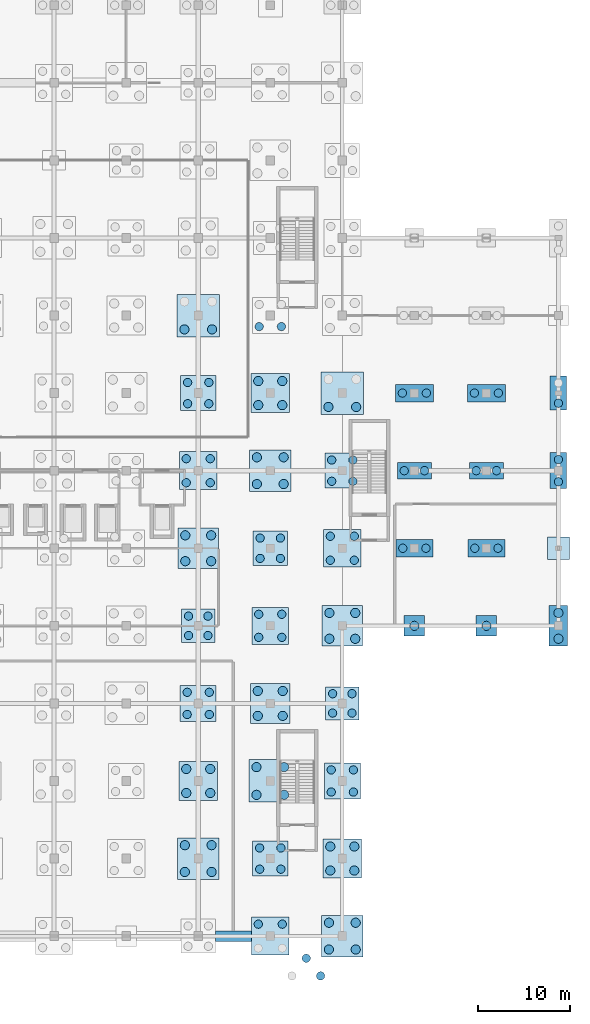
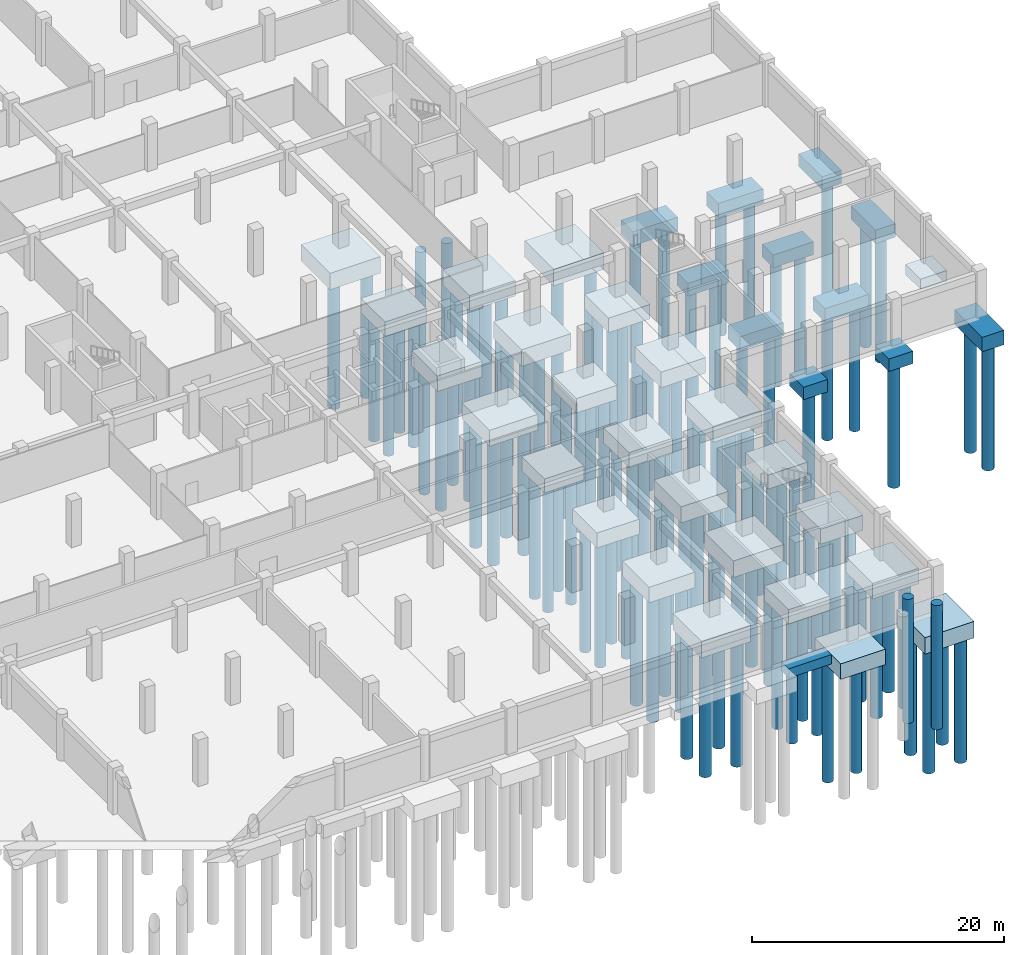
# One storey, part 7 of 30: 113 piles, 37 footings.
"""IFC4 building model written with IfcOpenShell, lengths in metres."""

from ifc_helpers import new_model, si_unit, direction, frame, origin, origin_2d, place, context, subcontext, project, spatial, rectangle, circle, extrude, material, layer, layer_set, material_profile, profile_set, type_object, element, save


model = new_model("IFC4")

# Units and contexts
model_context = context("Model", 3, precision=1e-05, world=origin(), true_north=direction((0.0, 1.0)))
body_context = subcontext(model_context, "Body", "Model", "MODEL_VIEW")
ifc_project = project(units=[si_unit("LENGTHUNIT", "METRE"), si_unit("AREAUNIT", "SQUARE_METRE"), si_unit("VOLUMEUNIT", "CUBIC_METRE"), si_unit("PLANEANGLEUNIT", "RADIAN"), si_unit("MASSUNIT", "GRAM", prefix="KILO"), si_unit("THERMODYNAMICTEMPERATUREUNIT", "KELVIN"), si_unit("POWERUNIT", "WATT")], contexts=[model_context])

# Site, building, storey
site_placement = place(None, origin())
site = spatial("IfcSite", under=ifc_project, at=site_placement, CompositionType="ELEMENT")
building_placement = place(site_placement, origin())
building = spatial("IfcBuilding", under=site, at=building_placement, Name="Srebrne Nadtorze General Hospital", CompositionType="ELEMENT")
storey_placement = place(building_placement, frame((0.0, 0.0, -4.5)))
storey = spatial("IfcBuildingStorey", under=building, at=storey_placement, Name="B1", CompositionType="ELEMENT", Elevation=-4.5)

# Piles
ifc_material_1 = material(Name="Concrete C35/45", Category="concrete")
ifc_material_profile_1 = material_profile(ifc_material_1, circle(Radius=0.5, at=origin_2d()), Name="PILE-D1000")
ifc_profile_set_1 = profile_set([ifc_material_profile_1], Name="Concrete C35/45")
pile_type_1 = type_object("IfcPileType", Name="Bored concrete pile D1000", PredefinedType="BORED", material=ifc_profile_set_1)
for number, where, z_axis, x_axis, name in (
    (1, (131.14990234375, 6.949951171875, -2.199951171875), (0.0, 0.0, -1.0), (1.0, 0.0, 0.0), "Bored pile PL-B1-0614"),
    (2, (134.050048828125, 6.949951171875, -2.199951171875), (0.0, 0.0, -1.0), (1.0, 0.0, 0.0), "Bored pile PL-B1-0615"),
    (3, (134.050048828125, 9.85009765625, -2.199951171875), (0.0, 0.0, -1.0), (1.0, 0.0, 0.0), "Bored pile PL-B1-0616"),
    (4, (131.14990234375, 9.85009765625, -2.199951171875), (0.0, 0.0, -1.0), (1.0, 0.0, 0.0), "Bored pile PL-B1-0617"),
    (5, (131.300048828125, 15.5, -2.10009765625), (0.0, 0.0, -1.0), (1.0, 0.0, 0.0), "Bored pile PL-B1-0618"),
    (6, (133.89990234375, 15.5, -2.10009765625), (0.0, 0.0, -1.0), (1.0, 0.0, 0.0), "Bored pile PL-B1-0619"),
    (7, (133.89990234375, 18.10009765625, -2.10009765625), (0.0, 0.0, -1.0), (1.0, 0.0, 0.0), "Bored pile PL-B1-0620"),
    (8, (131.300048828125, 18.10009765625, -2.10009765625), (0.0, 0.0, -1.0), (1.0, 0.0, 0.0), "Bored pile PL-B1-0621"),
    (9, (131.199951171875, 40.60009765625, -2.14990234375), (0.0, 0.0, -1.0), (1.0, 0.0, 0.0), "Bored pile PL-B1-0630"),
    (10, (134.0, 40.60009765625, -2.14990234375), (0.0, 0.0, -1.0), (1.0, 0.0, 0.0), "Bored pile PL-B1-0631"),
    (11, (134.0, 43.39990234375, -2.14990234375), (0.0, 0.0, -1.0), (1.0, 0.0, 0.0), "Bored pile PL-B1-0632"),
    (12, (131.199951171875, 43.39990234375, -2.14990234375), (0.0, 0.0, -1.0), (1.0, 0.0, 0.0), "Bored pile PL-B1-0633"),
    (13, (131.10009765625, 65.699951171875, -2.199951171875), (0.0, 0.0, -1.0), (1.0, 0.0, 0.0), "Bored pile PL-B1-0642"),
    (14, (134.10009765625, 65.699951171875, -2.199951171875), (0.0, 0.0, -1.0), (1.0, 0.0, 0.0), "Bored pile PL-B1-0643"),
    (15, (138.89990234375, 15.300048828125, -2.199951171875), (0.0, 0.0, -1.0), (1.0, 0.0, 0.0), "Bored pile PL-B1-0670"),
    (16, (141.89990234375, 15.300048828125, -2.199951171875), (0.0, 0.0, -1.0), (1.0, 0.0, 0.0), "Bored pile PL-B1-0671"),
    (17, (141.89990234375, 18.300048828125, -2.199951171875), (0.0, 0.0, -1.0), (1.0, 0.0, 0.0), "Bored pile PL-B1-0672"),
    (18, (138.89990234375, 18.300048828125, -2.199951171875), (0.0, 0.0, -1.0), (1.0, 0.0, 0.0), "Bored pile PL-B1-0673"),
    (19, (139.050048828125, 23.85009765625, -2.14990234375), (0.0, 0.0, -1.0), (1.0, 0.0, 0.0), "Bored pile PL-B1-0674"),
    (20, (141.75, 23.85009765625, -2.14990234375), (0.0, 0.0, -1.0), (1.0, 0.0, 0.0), "Bored pile PL-B1-0675"),
    (21, (141.75, 26.550048828125, -2.14990234375), (0.0, 0.0, -1.0), (1.0, 0.0, 0.0), "Bored pile PL-B1-0676"),
    (22, (139.050048828125, 26.550048828125, -2.14990234375), (0.0, 0.0, -1.0), (1.0, 0.0, 0.0), "Bored pile PL-B1-0677"),
    (23, (138.949951171875, 48.949951171875, -2.199951171875), (0.0, 0.0, -1.0), (1.0, 0.0, 0.0), "Bored pile PL-B1-0686"),
    (24, (141.85009765625, 48.949951171875, -2.199951171875), (0.0, 0.0, -1.0), (1.0, 0.0, 0.0), "Bored pile PL-B1-0687"),
    (25, (141.85009765625, 51.85009765625, -2.199951171875), (0.0, 0.0, -1.0), (1.0, 0.0, 0.0), "Bored pile PL-B1-0688"),
    (26, (138.949951171875, 51.85009765625, -2.199951171875), (0.0, 0.0, -1.0), (1.0, 0.0, 0.0), "Bored pile PL-B1-0689"),
    (27, (139.10009765625, 57.5, -2.10009765625), (0.0, 0.0, -1.0), (1.0, 0.0, 0.0), "Bored pile PL-B1-0690"),
    (28, (141.699951171875, 57.5, -2.10009765625), (0.0, 0.0, -1.0), (1.0, 0.0, 0.0), "Bored pile PL-B1-0691"),
    (29, (141.699951171875, 60.10009765625, -2.10009765625), (0.0, 0.0, -1.0), (1.0, 0.0, 0.0), "Bored pile PL-B1-0692"),
    (30, (139.10009765625, 60.10009765625, -2.10009765625), (0.0, 0.0, -1.0), (1.0, 0.0, 0.0), "Bored pile PL-B1-0693"),
    (31, (146.75, -1.449951171875, -2.199951171875), (0.0, 0.0, -1.0), (1.0, 0.0, 0.0), "Bored pile PL-B1-0712"),
    (32, (149.64990234375, -1.449951171875, -2.199951171875), (0.0, 0.0, -1.0), (1.0, 0.0, 0.0), "Bored pile PL-B1-0713"),
    (33, (149.64990234375, 1.449951171875, -2.199951171875), (0.0, 0.0, -1.0), (1.0, 0.0, 0.0), "Bored pile PL-B1-0714"),
    (34, (146.75, 1.449951171875, -2.199951171875), (0.0, 0.0, -1.0), (1.0, 0.0, 0.0), "Bored pile PL-B1-0715"),
    (35, (146.89990234375, 7.10009765625, -2.10009765625), (0.0, 0.0, -1.0), (1.0, 0.0, 0.0), "Bored pile PL-B1-0716"),
    (36, (149.5, 7.10009765625, -2.10009765625), (0.0, 0.0, -1.0), (1.0, 0.0, 0.0), "Bored pile PL-B1-0717"),
    (37, (149.5, 9.699951171875, -2.10009765625), (0.0, 0.0, -1.0), (1.0, 0.0, 0.0), "Bored pile PL-B1-0718"),
    (38, (146.89990234375, 9.699951171875, -2.10009765625), (0.0, 0.0, -1.0), (1.0, 0.0, 0.0), "Bored pile PL-B1-0719"),
    (39, (146.800048828125, 32.199951171875, -2.14990234375), (0.0, 0.0, -1.0), (1.0, 0.0, 0.0), "Bored pile PL-B1-0728"),
    (40, (149.60009765625, 32.199951171875, -2.14990234375), (0.0, 0.0, -1.0), (1.0, 0.0, 0.0), "Bored pile PL-B1-0729"),
    (41, (149.60009765625, 35.0, -2.14990234375), (0.0, 0.0, -1.0), (1.0, 0.0, 0.0), "Bored pile PL-B1-0730"),
    (42, (146.800048828125, 35.0, -2.14990234375), (0.0, 0.0, -1.0), (1.0, 0.0, 0.0), "Bored pile PL-B1-0731"),
    (43, (146.699951171875, 57.300048828125, -2.199951171875), (0.0, 0.0, -1.0), (1.0, 0.0, 0.0), "Bored pile PL-B1-0740"),
    (44, (149.699951171875, 57.300048828125, -2.199951171875), (0.0, 0.0, -1.0), (1.0, 0.0, 0.0), "Bored pile PL-B1-0741"),
    (45, (156.0, 33.60009765625, -1.800048828125), (0.0, 0.0, -1.0), (1.0, 0.0, 0.0), "Bored pile PL-B1-0764"),
    (46, (163.800048828125, 33.60009765625, -1.800048828125), (0.0, 0.0, -1.0), (1.0, 0.0, 0.0), "Bored pile PL-B1-0774"),
    (47, (171.60009765625, 32.199951171875, -2.0), (0.0, 0.0, -1.0), (1.0, 0.0, 0.0), "Bored pile PL-B1-0784"),
    (48, (171.60009765625, 35.0, -2.0), (0.0, 0.0, -1.0), (1.0, 0.0, 0.0), "Bored pile PL-B1-0785"),
):
    element("IfcPile", number, at=place(storey_placement, frame(where, z_axis=z_axis, x_axis=x_axis)), inside=storey, type_object=pile_type_1, Name=name, PredefinedType="BORED", context=body_context, shape_type="SweptSolid", body=[
        extrude(circle(Radius=0.5, at=origin_2d()), origin(), (0.0, 0.0, 1.0), 12.0),
    ])
ifc_material_2 = material(Name="Concrete C35/45", Category="concrete")
ifc_material_profile_2 = material_profile(ifc_material_2, circle(Radius=0.449951171875, at=origin_2d()), Name="PILE-D900")
ifc_profile_set_2 = profile_set([ifc_material_profile_2], Name="Concrete C35/45")
pile_type_2 = type_object("IfcPileType", Name="Bored concrete pile D900", PredefinedType="BORED", material=ifc_profile_set_2)
for number, where, z_axis, x_axis, name in (
    (49, (131.39990234375, 24.0, -2.050048828125), (0.0, 0.0, -1.0), (1.0, 0.0, 0.0), "Bored pile PL-B1-0622"),
    (50, (133.800048828125, 24.0, -2.050048828125), (0.0, 0.0, -1.0), (1.0, 0.0, 0.0), "Bored pile PL-B1-0623"),
    (51, (133.800048828125, 26.39990234375, -2.050048828125), (0.0, 0.0, -1.0), (1.0, 0.0, 0.0), "Bored pile PL-B1-0624"),
    (52, (131.39990234375, 26.39990234375, -2.050048828125), (0.0, 0.0, -1.0), (1.0, 0.0, 0.0), "Bored pile PL-B1-0625"),
    (53, (131.550048828125, 32.550048828125, -1.949951171875), (0.0, 0.0, -1.0), (1.0, 0.0, 0.0), "Bored pile PL-B1-0626"),
    (54, (133.64990234375, 32.550048828125, -1.949951171875), (0.0, 0.0, -1.0), (1.0, 0.0, 0.0), "Bored pile PL-B1-0627"),
    (55, (133.64990234375, 34.64990234375, -1.949951171875), (0.0, 0.0, -1.0), (1.0, 0.0, 0.0), "Bored pile PL-B1-0628"),
    (56, (131.550048828125, 34.64990234375, -1.949951171875), (0.0, 0.0, -1.0), (1.0, 0.0, 0.0), "Bored pile PL-B1-0629"),
    (57, (131.300048828125, 49.10009765625, -2.10009765625), (0.0, 0.0, -1.0), (1.0, 0.0, 0.0), "Bored pile PL-B1-0634"),
    (58, (133.89990234375, 49.10009765625, -2.10009765625), (0.0, 0.0, -1.0), (1.0, 0.0, 0.0), "Bored pile PL-B1-0635"),
    (59, (133.89990234375, 51.699951171875, -2.10009765625), (0.0, 0.0, -1.0), (1.0, 0.0, 0.0), "Bored pile PL-B1-0636"),
    (60, (131.300048828125, 51.699951171875, -2.10009765625), (0.0, 0.0, -1.0), (1.0, 0.0, 0.0), "Bored pile PL-B1-0637"),
    (61, (131.449951171875, 57.64990234375, -2.0), (0.0, 0.0, -1.0), (1.0, 0.0, 0.0), "Bored pile PL-B1-0638"),
    (62, (133.75, 57.64990234375, -2.0), (0.0, 0.0, -1.0), (1.0, 0.0, 0.0), "Bored pile PL-B1-0639"),
    (63, (133.75, 59.949951171875, -2.0), (0.0, 0.0, -1.0), (1.0, 0.0, 0.0), "Bored pile PL-B1-0640"),
    (64, (131.449951171875, 59.949951171875, -2.0), (0.0, 0.0, -1.0), (1.0, 0.0, 0.0), "Bored pile PL-B1-0641"),
    (65, (141.699951171875, 1.300048828125, -2.10009765625), (0.0, 0.0, -1.0), (1.0, 0.0, 0.0), "Bored pile PL-B1-0664"),
    (66, (139.10009765625, 1.300048828125, -2.10009765625), (0.0, 0.0, -1.0), (1.0, 0.0, 0.0), "Bored pile PL-B1-0665"),
    (67, (139.25, 7.25, -2.0), (0.0, 0.0, -1.0), (1.0, 0.0, 0.0), "Bored pile PL-B1-0666"),
    (68, (141.550048828125, 7.25, -2.0), (0.0, 0.0, -1.0), (1.0, 0.0, 0.0), "Bored pile PL-B1-0667"),
    (69, (141.550048828125, 9.550048828125, -2.0), (0.0, 0.0, -1.0), (1.0, 0.0, 0.0), "Bored pile PL-B1-0668"),
    (70, (139.25, 9.550048828125, -2.0), (0.0, 0.0, -1.0), (1.0, 0.0, 0.0), "Bored pile PL-B1-0669"),
    (71, (139.14990234375, 32.35009765625, -2.050048828125), (0.0, 0.0, -1.0), (1.0, 0.0, 0.0), "Bored pile PL-B1-0678"),
    (72, (141.64990234375, 32.35009765625, -2.050048828125), (0.0, 0.0, -1.0), (1.0, 0.0, 0.0), "Bored pile PL-B1-0679"),
    (73, (141.64990234375, 34.85009765625, -2.050048828125), (0.0, 0.0, -1.0), (1.0, 0.0, 0.0), "Bored pile PL-B1-0680"),
    (74, (139.14990234375, 34.85009765625, -2.050048828125), (0.0, 0.0, -1.0), (1.0, 0.0, 0.0), "Bored pile PL-B1-0681"),
    (75, (139.300048828125, 40.89990234375, -2.0), (0.0, 0.0, -1.0), (1.0, 0.0, 0.0), "Bored pile PL-B1-0682"),
    (76, (141.5, 40.89990234375, -2.0), (0.0, 0.0, -1.0), (1.0, 0.0, 0.0), "Bored pile PL-B1-0683"),
    (77, (141.5, 43.10009765625, -2.0), (0.0, 0.0, -1.0), (1.0, 0.0, 0.0), "Bored pile PL-B1-0684"),
    (78, (139.300048828125, 43.10009765625, -2.0), (0.0, 0.0, -1.0), (1.0, 0.0, 0.0), "Bored pile PL-B1-0685"),
    (79, (139.199951171875, 66.0, -2.050048828125), (0.0, 0.0, -1.0), (1.0, 0.0, 0.0), "Bored pile PL-B1-0694"),
    (80, (141.60009765625, 66.0, -2.050048828125), (0.0, 0.0, -1.0), (1.0, 0.0, 0.0), "Bored pile PL-B1-0695"),
    (81, (147.0, 15.60009765625, -2.050048828125), (0.0, 0.0, -1.0), (1.0, 0.0, 0.0), "Bored pile PL-B1-0720"),
    (82, (149.39990234375, 15.60009765625, -2.050048828125), (0.0, 0.0, -1.0), (1.0, 0.0, 0.0), "Bored pile PL-B1-0721"),
    (83, (149.39990234375, 18.0, -2.050048828125), (0.0, 0.0, -1.0), (1.0, 0.0, 0.0), "Bored pile PL-B1-0722"),
    (84, (147.0, 18.0, -2.050048828125), (0.0, 0.0, -1.0), (1.0, 0.0, 0.0), "Bored pile PL-B1-0723"),
    (85, (147.14990234375, 24.14990234375, -1.949951171875), (0.0, 0.0, -1.0), (1.0, 0.0, 0.0), "Bored pile PL-B1-0724"),
    (86, (149.25, 24.14990234375, -1.949951171875), (0.0, 0.0, -1.0), (1.0, 0.0, 0.0), "Bored pile PL-B1-0725"),
    (87, (149.25, 26.25, -1.949951171875), (0.0, 0.0, -1.0), (1.0, 0.0, 0.0), "Bored pile PL-B1-0726"),
    (88, (147.14990234375, 26.25, -1.949951171875), (0.0, 0.0, -1.0), (1.0, 0.0, 0.0), "Bored pile PL-B1-0727"),
    (89, (146.89990234375, 40.699951171875, -2.10009765625), (0.0, 0.0, -1.0), (1.0, 0.0, 0.0), "Bored pile PL-B1-0732"),
    (90, (149.5, 40.699951171875, -2.10009765625), (0.0, 0.0, -1.0), (1.0, 0.0, 0.0), "Bored pile PL-B1-0733"),
    (91, (149.5, 43.300048828125, -2.10009765625), (0.0, 0.0, -1.0), (1.0, 0.0, 0.0), "Bored pile PL-B1-0734"),
    (92, (146.89990234375, 43.300048828125, -2.10009765625), (0.0, 0.0, -1.0), (1.0, 0.0, 0.0), "Bored pile PL-B1-0735"),
    (93, (147.050048828125, 49.25, -2.0), (0.0, 0.0, -1.0), (1.0, 0.0, 0.0), "Bored pile PL-B1-0736"),
    (94, (149.35009765625, 49.25, -2.0), (0.0, 0.0, -1.0), (1.0, 0.0, 0.0), "Bored pile PL-B1-0737"),
    (95, (149.35009765625, 51.550048828125, -2.0), (0.0, 0.0, -1.0), (1.0, 0.0, 0.0), "Bored pile PL-B1-0738"),
    (96, (147.050048828125, 51.550048828125, -2.0), (0.0, 0.0, -1.0), (1.0, 0.0, 0.0), "Bored pile PL-B1-0739"),
    (97, (154.75, 42.0, -1.89990234375), (0.0, 0.0, -1.0), (1.0, 0.0, 0.0), "Bored pile PL-B1-0765"),
    (98, (157.25, 42.0, -1.89990234375), (0.0, 0.0, -1.0), (1.0, 0.0, 0.0), "Bored pile PL-B1-0766"),
    (99, (154.89990234375, 50.39990234375, -1.85009765625), (0.0, 0.0, -1.0), (1.0, 0.0, 0.0), "Bored pile PL-B1-0767"),
    (100, (157.10009765625, 50.39990234375, -1.85009765625), (0.0, 0.0, -1.0), (1.0, 0.0, 0.0), "Bored pile PL-B1-0768"),
    (101, (154.699951171875, 58.800048828125, -1.949951171875), (0.0, 0.0, -1.0), (1.0, 0.0, 0.0), "Bored pile PL-B1-0769"),
    (102, (157.300048828125, 58.800048828125, -1.949951171875), (0.0, 0.0, -1.0), (1.0, 0.0, 0.0), "Bored pile PL-B1-0770"),
    (103, (162.550048828125, 42.0, -1.89990234375), (0.0, 0.0, -1.0), (1.0, 0.0, 0.0), "Bored pile PL-B1-0775"),
    (104, (165.050048828125, 42.0, -1.89990234375), (0.0, 0.0, -1.0), (1.0, 0.0, 0.0), "Bored pile PL-B1-0776"),
    (105, (162.699951171875, 50.39990234375, -1.85009765625), (0.0, 0.0, -1.0), (1.0, 0.0, 0.0), "Bored pile PL-B1-0777"),
    (106, (164.89990234375, 50.39990234375, -1.85009765625), (0.0, 0.0, -1.0), (1.0, 0.0, 0.0), "Bored pile PL-B1-0778"),
    (107, (162.5, 58.800048828125, -1.949951171875), (0.0, 0.0, -1.0), (1.0, 0.0, 0.0), "Bored pile PL-B1-0779"),
    (108, (165.10009765625, 58.800048828125, -1.949951171875), (0.0, 0.0, -1.0), (1.0, 0.0, 0.0), "Bored pile PL-B1-0780"),
    (109, (171.60009765625, 49.199951171875, -1.89990234375), (0.0, 0.0, -1.0), (1.0, 0.0, 0.0), "Bored pile PL-B1-0786"),
    (110, (171.60009765625, 51.60009765625, -1.89990234375), (0.0, 0.0, -1.0), (1.0, 0.0, 0.0), "Bored pile PL-B1-0787"),
    (111, (171.60009765625, 57.699951171875, -1.85009765625), (0.0, 0.0, -1.0), (1.0, 0.0, 0.0), "Bored pile PL-B1-0788"),
    (112, (145.85009765625, -4.300048828125, 4.080078125), (0.0, 0.0, -1.0), (1.0, 0.0, 0.0), "Accessible ramp support pile 4 2"),
    (113, (144.300048828125, -2.39990234375, 4.080078125), (0.0, 0.0, -1.0), (1.0, 0.0, 0.0), "Accessible ramp support pile 4 3"),
):
    element("IfcPile", number, at=place(storey_placement, frame(where, z_axis=z_axis, x_axis=x_axis)), inside=storey, type_object=pile_type_2, Name=name, PredefinedType="BORED", context=body_context, shape_type="SweptSolid", body=[
        extrude(circle(Radius=0.449951171875, at=origin_2d()), origin(), (0.0, 0.0, 1.0), 12.0),
    ])

# Footings
ifc_material_3 = material(Name="Concrete C35/45", Category="concrete")
ifc_layer_1 = layer(ifc_material_3, 1.25)
ifc_layer_set_1 = layer_set([ifc_layer_1], Name="Concrete C35/45")
footing_type_1 = type_object("IfcFootingType", Name="Bored pile cap 1800x3700x1250", PredefinedType="PILE_CAP", material=ifc_layer_set_1)
footing_1_placement = place(storey_placement, frame((171.60009765625, 58.800048828125, -1.85009765625), z_axis=(0.0, 0.0, 1.0), x_axis=(1.0, 0.0, 0.0)))
element("IfcFooting", 114, at=footing_1_placement, inside=storey, type_object=footing_type_1, Name="Pile cap FT-B1-23-H", PredefinedType="PILE_CAP", context=body_context, shape_type="SweptSolid", body=[
    extrude(rectangle(XDim=1.800048828125, YDim=3.699951171875, at=origin_2d()), origin(), (0.0, 0.0, 1.0), 1.25),
])
ifc_material_4 = material(Name="Concrete C35/45", Category="concrete")
ifc_layer_2 = layer(ifc_material_4, 1.300048828125)
ifc_layer_set_2 = layer_set([ifc_layer_2], Name="Concrete C35/45")
footing_type_2 = type_object("IfcFootingType", Name="Bored pile cap 1800x3900x1300", PredefinedType="PILE_CAP", material=ifc_layer_set_2)
footing_2_placement = place(storey_placement, frame((171.60009765625, 50.39990234375, -1.89990234375), z_axis=(0.0, 0.0, 1.0), x_axis=(1.0, 0.0, 0.0)))
element("IfcFooting", 115, at=footing_2_placement, inside=storey, type_object=footing_type_2, Name="Pile cap FT-B1-23-G", PredefinedType="PILE_CAP", context=body_context, shape_type="SweptSolid", body=[
    extrude(rectangle(XDim=1.800048828125, YDim=3.89990234375, at=origin_2d()), origin(), (0.0, 0.0, 1.0), 1.300048828125),
])
ifc_material_5 = material(Name="Concrete C35/45", Category="concrete")
ifc_layer_3 = layer(ifc_material_5, 1.39990234375)
ifc_layer_set_3 = layer_set([ifc_layer_3], Name="Concrete C35/45")
footing_type_3 = type_object("IfcFootingType", Name="Bored pile cap 2000x4400x1400", PredefinedType="PILE_CAP", material=ifc_layer_set_3)
footing_3_placement = place(storey_placement, frame((171.60009765625, 33.60009765625, -2.0), z_axis=(0.0, 0.0, 1.0), x_axis=(1.0, 0.0, 0.0)))
element("IfcFooting", 116, at=footing_3_placement, inside=storey, type_object=footing_type_3, Name="Pile cap FT-B1-23-E", PredefinedType="PILE_CAP", context=body_context, shape_type="SweptSolid", body=[
    extrude(rectangle(XDim=2.0, YDim=4.39990234375, at=origin_2d()), origin(), (0.0, 0.0, 1.0), 1.39990234375),
])
ifc_material_6 = material(Name="Concrete C35/45", Category="concrete")
ifc_layer_4 = layer(ifc_material_6, 1.199951171875)
ifc_layer_set_4 = layer_set([ifc_layer_4], Name="Concrete C35/45")
footing_type_4 = type_object("IfcFootingType", Name="Bored pile cap 2200x2200x1200", PredefinedType="PILE_CAP", material=ifc_layer_set_4)
for number, where, z_axis, x_axis, name in (
    (117, (156.0, 33.60009765625, -1.7998046875), (0.0, 0.0, 1.0), (1.0, 0.0, 0.0), "Pile cap FT-B1-21-E"),
    (118, (163.800048828125, 33.60009765625, -1.7998046875), (0.0, 0.0, 1.0), (1.0, 0.0, 0.0), "Pile cap FT-B1-22-E"),
):
    element("IfcFooting", number, at=place(storey_placement, frame(where, z_axis=z_axis, x_axis=x_axis)), inside=storey, type_object=footing_type_4, Name=name, PredefinedType="PILE_CAP", context=body_context, shape_type="SweptSolid", body=[
        extrude(rectangle(XDim=2.199951171875, YDim=2.199951171875, at=origin_2d()), origin(), (0.0, 0.0, 1.0), 1.199951171875),
    ])
ifc_material_7 = material(Name="Concrete C35/45", Category="concrete")
ifc_layer_5 = layer(ifc_material_7, 1.35009765625)
ifc_layer_set_5 = layer_set([ifc_layer_5], Name="Concrete C35/45")
footing_type_5 = type_object("IfcFootingType", Name="Bored pile cap 3600x3600x1350", PredefinedType="PILE_CAP", material=ifc_layer_set_5)
for number, where, z_axis, x_axis, name in (
    (119, (132.60009765625, 33.60009765625, -1.949951171875), (0.0, 0.0, 1.0), (1.0, 0.0, 0.0), "Pile cap FT-B1-18-E"),
    (120, (148.199951171875, 25.199951171875, -1.949951171875), (0.0, 0.0, 1.0), (1.0, 0.0, 0.0), "Pile cap FT-B1-20-D"),
):
    element("IfcFooting", number, at=place(storey_placement, frame(where, z_axis=z_axis, x_axis=x_axis)), inside=storey, type_object=footing_type_5, Name=name, PredefinedType="PILE_CAP", context=body_context, shape_type="SweptSolid", body=[
        extrude(rectangle(XDim=3.60009765625, YDim=3.60009765625, at=origin_2d()), origin(), (0.0, 0.0, 1.0), 1.35009765625),
    ])
ifc_material_8 = material(Name="Concrete C35/45", Category="concrete")
ifc_layer_6 = layer(ifc_material_8, 1.25)
ifc_layer_set_6 = layer_set([ifc_layer_6], Name="Concrete C35/45")
footing_type_6 = type_object("IfcFootingType", Name="Bored pile cap 3700x1750x1250", PredefinedType="PILE_CAP", material=ifc_layer_set_6)
for number, where, z_axis, x_axis, name in (
    (121, (156.0, 50.39990234375, -1.85009765625), (0.0, 0.0, 1.0), (1.0, 0.0, 0.0), "Pile cap FT-B1-21-G"),
    (122, (163.800048828125, 50.39990234375, -1.85009765625), (0.0, 0.0, 1.0), (1.0, 0.0, 0.0), "Pile cap FT-B1-22-G"),
):
    element("IfcFooting", number, at=place(storey_placement, frame(where, z_axis=z_axis, x_axis=x_axis)), inside=storey, type_object=footing_type_6, Name=name, PredefinedType="PILE_CAP", context=body_context, shape_type="SweptSolid", body=[
        extrude(rectangle(XDim=3.699951171875, YDim=1.75, at=origin_2d()), origin(), (0.0, 0.0, 1.0), 1.25),
    ])
ifc_material_9 = material(Name="Concrete C35/45", Category="concrete")
ifc_layer_7 = layer(ifc_material_9, 1.39990234375)
ifc_layer_set_7 = layer_set([ifc_layer_7], Name="Concrete C35/45")
footing_type_7 = type_object("IfcFootingType", Name="Bored pile cap 3700x3700x1400", PredefinedType="PILE_CAP", material=ifc_layer_set_7)
footing_4_placement = place(storey_placement, frame((140.39990234375, 42.0, -2.0), z_axis=(0.0, 0.0, 1.0), x_axis=(1.0, 0.0, 0.0)))
element("IfcFooting", 123, at=footing_4_placement, inside=storey, type_object=footing_type_7, Name="Pile cap FT-B1-19-F", PredefinedType="PILE_CAP", context=body_context, shape_type="SweptSolid", body=[
    extrude(rectangle(XDim=3.699951171875, YDim=3.699951171875, at=origin_2d()), origin(), (0.0, 0.0, 1.0), 1.39990234375),
])
ifc_material_10 = material(Name="Concrete C35/45", Category="concrete")
ifc_layer_8 = layer(ifc_material_10, 1.39990234375)
ifc_layer_set_8 = layer_set([ifc_layer_8], Name="Concrete C35/45")
footing_type_8 = type_object("IfcFootingType", Name="Bored pile cap 3800x3800x1400", PredefinedType="PILE_CAP", material=ifc_layer_set_8)
for number, where, z_axis, x_axis, name in (
    (124, (132.60009765625, 58.800048828125, -2.0), (0.0, 0.0, 1.0), (1.0, 0.0, 0.0), "Pile cap FT-B1-18-H"),
    (125, (140.39990234375, 8.39990234375, -2.0), (0.0, 0.0, 1.0), (1.0, 0.0, 0.0), "Pile cap FT-B1-19-B"),
    (126, (148.199951171875, 50.39990234375, -2.0), (0.0, 0.0, 1.0), (1.0, 0.0, 0.0), "Pile cap FT-B1-20-G"),
):
    element("IfcFooting", number, at=place(storey_placement, frame(where, z_axis=z_axis, x_axis=x_axis)), inside=storey, type_object=footing_type_8, Name=name, PredefinedType="PILE_CAP", context=body_context, shape_type="SweptSolid", body=[
        extrude(rectangle(XDim=3.800048828125, YDim=3.800048828125, at=origin_2d()), origin(), (0.0, 0.0, 1.0), 1.39990234375),
    ])
ifc_material_11 = material(Name="Concrete C35/45", Category="concrete")
ifc_layer_9 = layer(ifc_material_11, 1.449951171875)
ifc_layer_set_9 = layer_set([ifc_layer_9], Name="Concrete C35/45")
footing_type_9 = type_object("IfcFootingType", Name="Bored pile cap 3900x3900x1450", PredefinedType="PILE_CAP", material=ifc_layer_set_9)
for number, where, z_axis, x_axis, name in (
    (127, (132.60009765625, 25.199951171875, -2.0498046875), (0.0, 0.0, 1.0), (1.0, 0.0, 0.0), "Pile cap FT-B1-18-D"),
    (128, (148.199951171875, 16.800048828125, -2.0498046875), (0.0, 0.0, 1.0), (1.0, 0.0, 0.0), "Pile cap FT-B1-20-C"),
):
    element("IfcFooting", number, at=place(storey_placement, frame(where, z_axis=z_axis, x_axis=x_axis)), inside=storey, type_object=footing_type_9, Name=name, PredefinedType="PILE_CAP", context=body_context, shape_type="SweptSolid", body=[
        extrude(rectangle(XDim=3.89990234375, YDim=3.89990234375, at=origin_2d()), origin(), (0.0, 0.0, 1.0), 1.449951171875),
    ])
ifc_material_12 = material(Name="Concrete C35/45", Category="concrete")
ifc_layer_10 = layer(ifc_material_12, 1.300048828125)
ifc_layer_set_10 = layer_set([ifc_layer_10], Name="Concrete C35/45")
footing_type_10 = type_object("IfcFootingType", Name="Bored pile cap 4000x1900x1300", PredefinedType="PILE_CAP", material=ifc_layer_set_10)
for number, where, z_axis, x_axis, name in (
    (129, (156.0, 42.0, -1.89990234375), (0.0, 0.0, 1.0), (1.0, 0.0, 0.0), "Pile cap FT-B1-21-F"),
    (130, (163.800048828125, 42.0, -1.89990234375), (0.0, 0.0, 1.0), (1.0, 0.0, 0.0), "Pile cap FT-B1-22-F"),
):
    element("IfcFooting", number, at=place(storey_placement, frame(where, z_axis=z_axis, x_axis=x_axis)), inside=storey, type_object=footing_type_10, Name=name, PredefinedType="PILE_CAP", context=body_context, shape_type="SweptSolid", body=[
        extrude(rectangle(XDim=4.0, YDim=1.89990234375, at=origin_2d()), origin(), (0.0, 0.0, 1.0), 1.300048828125),
    ])
ifc_material_13 = material(Name="Concrete C35/45", Category="concrete")
ifc_layer_11 = layer(ifc_material_13, 1.449951171875)
ifc_layer_set_11 = layer_set([ifc_layer_11], Name="Concrete C35/45")
footing_type_11 = type_object("IfcFootingType", Name="Bored pile cap 4000x4000x1450", PredefinedType="PILE_CAP", material=ifc_layer_set_11)
footing_5_placement = place(storey_placement, frame((140.39990234375, 33.60009765625, -2.0498046875), z_axis=(0.0, 0.0, 1.0), x_axis=(1.0, 0.0, 0.0)))
element("IfcFooting", 131, at=footing_5_placement, inside=storey, type_object=footing_type_11, Name="Pile cap FT-B1-19-E", PredefinedType="PILE_CAP", context=body_context, shape_type="SweptSolid", body=[
    extrude(rectangle(XDim=4.0, YDim=4.0, at=origin_2d()), origin(), (0.0, 0.0, 1.0), 1.449951171875),
])
ifc_material_14 = material(Name="Concrete C35/45", Category="concrete")
ifc_layer_12 = layer(ifc_material_14, 1.35009765625)
ifc_layer_set_12 = layer_set([ifc_layer_12], Name="Concrete C35/45")
footing_type_12 = type_object("IfcFootingType", Name="Bored pile cap 4100x1900x1350", PredefinedType="PILE_CAP", material=ifc_layer_set_12)
for number, where, z_axis, x_axis, name in (
    (132, (156.0, 58.800048828125, -1.949951171875), (0.0, 0.0, 1.0), (1.0, 0.0, 0.0), "Pile cap FT-B1-21-H"),
    (133, (163.800048828125, 58.800048828125, -1.949951171875), (0.0, 0.0, 1.0), (1.0, 0.0, 0.0), "Pile cap FT-B1-22-H"),
):
    element("IfcFooting", number, at=place(storey_placement, frame(where, z_axis=z_axis, x_axis=x_axis)), inside=storey, type_object=footing_type_12, Name=name, PredefinedType="PILE_CAP", context=body_context, shape_type="SweptSolid", body=[
        extrude(rectangle(XDim=4.10009765625, YDim=1.89990234375, at=origin_2d()), origin(), (0.0, 0.0, 1.0), 1.35009765625),
    ])
ifc_material_15 = material(Name="Concrete C35/45", Category="concrete")
ifc_layer_13 = layer(ifc_material_15, 1.5)
ifc_layer_set_13 = layer_set([ifc_layer_13], Name="Concrete C35/45")
footing_type_13 = type_object("IfcFootingType", Name="Bored pile cap 4100x4100x1500", PredefinedType="PILE_CAP", material=ifc_layer_set_13)
for number, where, z_axis, x_axis, name in (
    (134, (132.60009765625, 50.39990234375, -2.10009765625), (0.0, 0.0, 1.0), (1.0, 0.0, 0.0), "Pile cap FT-B1-18-G"),
    (135, (140.39990234375, 0.0, -2.10009765625), (0.0, 0.0, 1.0), (1.0, 0.0, 0.0), "Pile cap FT-B1-19-A"),
    (136, (148.199951171875, 42.0, -2.10009765625), (0.0, 0.0, 1.0), (1.0, 0.0, 0.0), "Pile cap FT-B1-20-F"),
):
    element("IfcFooting", number, at=place(storey_placement, frame(where, z_axis=z_axis, x_axis=x_axis)), inside=storey, type_object=footing_type_13, Name=name, PredefinedType="PILE_CAP", context=body_context, shape_type="SweptSolid", body=[
        extrude(rectangle(XDim=4.10009765625, YDim=4.10009765625, at=origin_2d()), origin(), (0.0, 0.0, 1.0), 1.5),
    ])
ifc_material_16 = material(Name="Concrete C35/45", Category="concrete")
ifc_layer_14 = layer(ifc_material_16, 1.5)
ifc_layer_set_14 = layer_set([ifc_layer_14], Name="Concrete C35/45")
footing_type_14 = type_object("IfcFootingType", Name="Bored pile cap 4200x4200x1500", PredefinedType="PILE_CAP", material=ifc_layer_set_14)
for number, where, z_axis, x_axis, name in (
    (137, (132.60009765625, 16.800048828125, -2.10009765625), (0.0, 0.0, 1.0), (1.0, 0.0, 0.0), "Pile cap FT-B1-18-C"),
    (138, (140.39990234375, 58.800048828125, -2.10009765625), (0.0, 0.0, 1.0), (1.0, 0.0, 0.0), "Pile cap FT-B1-19-H"),
    (139, (148.199951171875, 8.39990234375, -2.10009765625), (0.0, 0.0, 1.0), (1.0, 0.0, 0.0), "Pile cap FT-B1-20-B"),
):
    element("IfcFooting", number, at=place(storey_placement, frame(where, z_axis=z_axis, x_axis=x_axis)), inside=storey, type_object=footing_type_14, Name=name, PredefinedType="PILE_CAP", context=body_context, shape_type="SweptSolid", body=[
        extrude(rectangle(XDim=4.199951171875, YDim=4.199951171875, at=origin_2d()), origin(), (0.0, 0.0, 1.0), 1.5),
    ])
ifc_material_17 = material(Name="Concrete C35/45", Category="concrete")
ifc_layer_15 = layer(ifc_material_17, 1.550048828125)
ifc_layer_set_15 = layer_set([ifc_layer_15], Name="Concrete C35/45")
footing_type_15 = type_object("IfcFootingType", Name="Bored pile cap 4300x4300x1550", PredefinedType="PILE_CAP", material=ifc_layer_set_15)
footing_6_placement = place(storey_placement, frame((140.39990234375, 25.199951171875, -2.14990234375), z_axis=(0.0, 0.0, 1.0), x_axis=(1.0, 0.0, 0.0)))
element("IfcFooting", 140, at=footing_6_placement, inside=storey, type_object=footing_type_15, Name="Pile cap FT-B1-19-D", PredefinedType="PILE_CAP", context=body_context, shape_type="SweptSolid", body=[
    extrude(rectangle(XDim=4.300048828125, YDim=4.300048828125, at=origin_2d()), origin(), (0.0, 0.0, 1.0), 1.550048828125),
])
ifc_material_18 = material(Name="Concrete C35/45", Category="concrete")
ifc_layer_16 = layer(ifc_material_18, 1.550048828125)
ifc_layer_set_16 = layer_set([ifc_layer_16], Name="Concrete C35/45")
footing_type_16 = type_object("IfcFootingType", Name="Bored pile cap 4400x4400x1550", PredefinedType="PILE_CAP", material=ifc_layer_set_16)
for number, where, z_axis, x_axis, name in (
    (141, (132.60009765625, 42.0, -2.14990234375), (0.0, 0.0, 1.0), (1.0, 0.0, 0.0), "Pile cap FT-B1-18-F"),
    (142, (148.199951171875, 33.60009765625, -2.14990234375), (0.0, 0.0, 1.0), (1.0, 0.0, 0.0), "Pile cap FT-B1-20-E"),
):
    element("IfcFooting", number, at=place(storey_placement, frame(where, z_axis=z_axis, x_axis=x_axis)), inside=storey, type_object=footing_type_16, Name=name, PredefinedType="PILE_CAP", context=body_context, shape_type="SweptSolid", body=[
        extrude(rectangle(XDim=4.39990234375, YDim=4.39990234375, at=origin_2d()), origin(), (0.0, 0.0, 1.0), 1.550048828125),
    ])
ifc_material_19 = material(Name="Concrete C35/45", Category="concrete")
ifc_layer_17 = layer(ifc_material_19, 1.60009765625)
ifc_layer_set_17 = layer_set([ifc_layer_17], Name="Concrete C35/45")
footing_type_17 = type_object("IfcFootingType", Name="Bored pile cap 4500x4500x1600", PredefinedType="PILE_CAP", material=ifc_layer_set_17)
for number, where, z_axis, x_axis, name in (
    (143, (132.60009765625, 8.39990234375, -2.199951171875), (0.0, 0.0, 1.0), (1.0, 0.0, 0.0), "Pile cap FT-B1-18-B"),
    (144, (140.39990234375, 50.39990234375, -2.199951171875), (0.0, 0.0, 1.0), (1.0, 0.0, 0.0), "Pile cap FT-B1-19-G"),
    (145, (148.199951171875, 0.0, -2.199951171875), (0.0, 0.0, 1.0), (1.0, 0.0, 0.0), "Pile cap FT-B1-20-A"),
):
    element("IfcFooting", number, at=place(storey_placement, frame(where, z_axis=z_axis, x_axis=x_axis)), inside=storey, type_object=footing_type_17, Name=name, PredefinedType="PILE_CAP", context=body_context, shape_type="SweptSolid", body=[
        extrude(rectangle(XDim=4.5, YDim=4.5, at=origin_2d()), origin(), (0.0, 0.0, 1.0), 1.60009765625),
    ])
ifc_material_20 = material(Name="Concrete C35/45", Category="concrete")
ifc_layer_18 = layer(ifc_material_20, 1.60009765625)
ifc_layer_set_18 = layer_set([ifc_layer_18], Name="Concrete C35/45")
footing_type_18 = type_object("IfcFootingType", Name="Bored pile cap 4600x4600x1600", PredefinedType="PILE_CAP", material=ifc_layer_set_18)
for number, where, z_axis, x_axis, name in (
    (146, (132.60009765625, 67.199951171875, -2.199951171875), (0.0, 0.0, 1.0), (1.0, 0.0, 0.0), "Pile cap FT-B1-18-J"),
    (147, (140.39990234375, 16.800048828125, -2.199951171875), (0.0, 0.0, 1.0), (1.0, 0.0, 0.0), "Pile cap FT-B1-19-C"),
    (148, (148.199951171875, 58.800048828125, -2.199951171875), (0.0, 0.0, 1.0), (1.0, 0.0, 0.0), "Pile cap FT-B1-20-H"),
):
    element("IfcFooting", number, at=place(storey_placement, frame(where, z_axis=z_axis, x_axis=x_axis)), inside=storey, type_object=footing_type_18, Name=name, PredefinedType="PILE_CAP", context=body_context, shape_type="SweptSolid", body=[
        extrude(rectangle(XDim=4.60009765625, YDim=4.60009765625, at=origin_2d()), origin(), (0.0, 0.0, 1.0), 1.60009765625),
    ])
ifc_material_21 = material(Name="Concrete C35/45", Category="concrete")
ifc_layer_19 = layer(ifc_material_21, 1.0)
ifc_layer_set_19 = layer_set([ifc_layer_19], Name="Concrete C35/45")
footing_type_19 = type_object("IfcFootingType", Name="Isolated pad footing 2400x2400x1000", PredefinedType="PAD_FOOTING", material=ifc_layer_set_19)
footing_7_placement = place(storey_placement, frame((171.60009765625, 42.0, -1.60009765625), z_axis=(0.0, 0.0, 1.0), x_axis=(1.0, 0.0, 0.0)))
element("IfcFooting", 149, at=footing_7_placement, inside=storey, type_object=footing_type_19, Name="Pad footing FT-B1-23-F", PredefinedType="PAD_FOOTING", context=body_context, shape_type="SweptSolid", body=[
    extrude(rectangle(XDim=2.39990234375, YDim=2.39990234375, at=origin_2d()), origin(), (0.0, 0.0, 1.0), 1.0),
])
ifc_material_22 = material(Name="Concrete C35/45", Category="concrete")
ifc_layer_20 = layer(ifc_material_22, 0.89990234375)
ifc_layer_set_20 = layer_set([ifc_layer_20], Name="Concrete C35/45")
footing_type_20 = type_object("IfcFootingType", Name="Wall strip footing 1150x900", PredefinedType="STRIP_FOOTING", material=ifc_layer_set_20)
footing_8_placement = place(storey_placement, frame((136.39990234375, 0.0, -1.5), z_axis=(0.0, 0.0, 1.0), x_axis=(1.0, 0.0, 0.0)))
element("IfcFooting", 150, at=footing_8_placement, inside=storey, type_object=footing_type_20, Name="Wall strip footing SF-B1-29", PredefinedType="STRIP_FOOTING", context=body_context, shape_type="SweptSolid", body=[
    extrude(rectangle(XDim=3.89990234375, YDim=1.14990234375, at=origin_2d()), origin(), (0.0, 0.0, 1.0), 0.89990234375),
])

save(model, "model.ifc")
